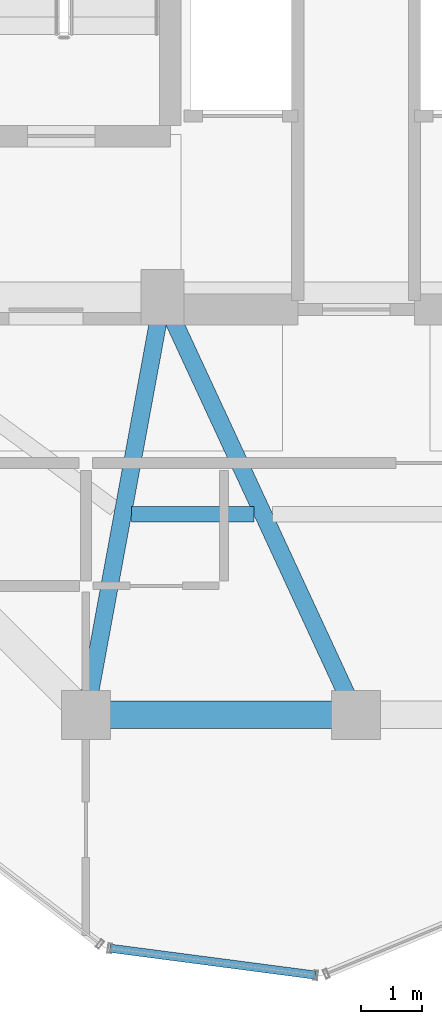
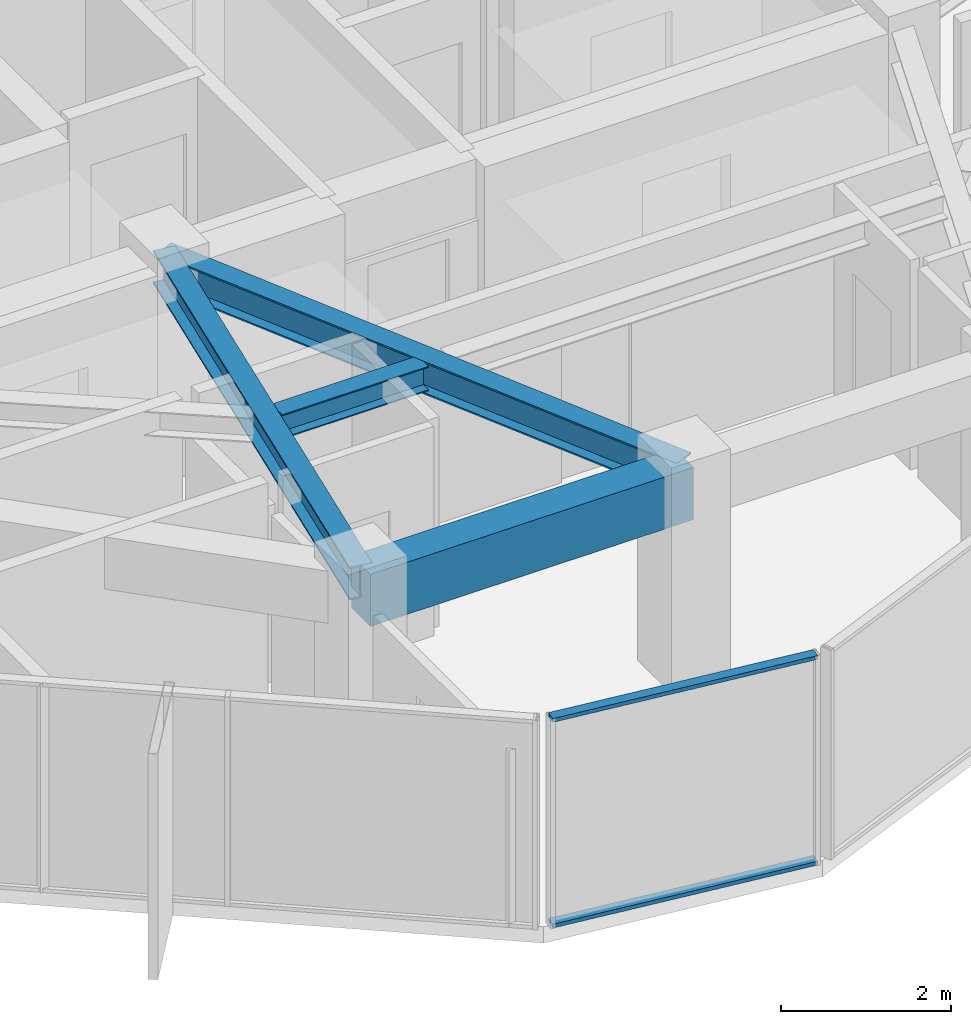
# One storey, part 5 of 31: 4 beams, 2 members, 1 element without a shape of its own.
"""IFC4 building model written with IfcOpenShell, lengths in metres."""

from ifc_helpers import new_model, si_unit, direction, frame, origin, origin_2d, place, context, subcontext, project, spatial, rectangle, hollow_rectangle, i_section, extrude, source, transform, mapped, material, layer, layer_set, material_profile, profile_set, type_object, element, aggregate, save


model = new_model("IFC4")

# Units and contexts
model_context = context("Model", 3, precision=1e-05, world=origin(), true_north=direction((0.0, 1.0)))
body_context = subcontext(model_context, "Body", "Model", "MODEL_VIEW")
ifc_project = project(units=[si_unit("LENGTHUNIT", "METRE"), si_unit("AREAUNIT", "SQUARE_METRE"), si_unit("VOLUMEUNIT", "CUBIC_METRE"), si_unit("PLANEANGLEUNIT", "RADIAN"), si_unit("MASSUNIT", "GRAM", prefix="KILO")], contexts=[model_context])

# Site, building, storey
site_placement = place(None, origin())
site = spatial("IfcSite", under=ifc_project, at=site_placement, CompositionType="ELEMENT")
building_placement = place(site_placement, origin())
building = spatial("IfcBuilding", under=site, at=building_placement, Name="Veraguas Prism Commons", CompositionType="ELEMENT")
storey_placement = place(building_placement, frame((0.0, 0.0, 233.300048828125)))
storey = spatial("IfcBuildingStorey", under=building, at=storey_placement, Name="L66", CompositionType="ELEMENT", Elevation=233.300048828125)

# Beams
ifc_material_1 = material(Name="Concrete C50/60", Category="concrete")
ifc_material_profile_1 = material_profile(ifc_material_1, rectangle(XDim=0.449951171875, YDim=0.75, at=origin_2d()), Name="RC450X750")
ifc_profile_set_1 = profile_set([ifc_material_profile_1], Name="Concrete C50/60")
beam_type_1 = type_object("IfcBeamType", Name="Perimeter Spandrel Upper RC 450x750", PredefinedType="SPANDREL", material=ifc_profile_set_1)
beam_1_placement = place(storey_placement, frame((19.60009765625, 10.199951171875, 2.639892578125), z_axis=(1.0, 0.0, 0.0), x_axis=(0.0, 1.0, 0.0)))
element("IfcBeam", 1, at=beam_1_placement, inside=storey, type_object=beam_type_1, Name="Perimeter Spandrel Beam L66-SP10", PredefinedType="SPANDREL", context=body_context, shape_type="SweptSolid", body=[
    extrude(rectangle(XDim=0.449951171875, YDim=0.75, at=origin_2d()), origin(), (0.0, 0.0, 1.0), 4.39990234375),
])
ifc_material_2 = material(Name="Steel ASTM A992 Grade 50", Category="steel")
ifc_material_profile_2 = material_profile(ifc_material_2, i_section(OverallWidth=0.25390625, OverallDepth=0.35302734375, WebThickness=0.009521484375, FlangeThickness=0.016357421875, at=origin_2d()), Name="W360X91")
ifc_profile_set_2 = profile_set([ifc_material_profile_2], Name="Steel ASTM A992 Grade 50")
beam_type_2 = type_object("IfcBeamType", Name="Upper Floor Joist W360x91", PredefinedType="JOIST", material=ifc_profile_set_2)
beam_2_placement = place(storey_placement, frame((20.341796875, 13.464111328125, 2.83837890625), z_axis=(1.0, 0.0, 0.0), x_axis=(0.0, 1.0, 0.0)))
element("IfcBeam", 2, at=beam_2_placement, inside=storey, type_object=beam_type_2, Name="Composite Floor Joist L66-JS10", PredefinedType="JOIST", context=body_context, shape_type="SweptSolid", body=[
    extrude(i_section(OverallWidth=0.25390625, OverallDepth=0.35302734375, WebThickness=0.009521484375, FlangeThickness=0.016357421875, at=origin_2d()), origin(), (0.0, 0.0, 1.0), 1.992431640625),
])
ifc_material_profile_3 = material_profile(ifc_material_2, i_section(OverallWidth=0.282958984375, OverallDepth=0.471923828125, WebThickness=0.013671875, FlangeThickness=0.022216796875, at=origin_2d()), Name="W460X144")
ifc_profile_set_3 = profile_set([ifc_material_profile_3], Name="Steel ASTM A992 Grade 50")
beam_type_3 = type_object("IfcBeamType", Name="Zone 4 Radial Girder W460x144", PredefinedType="BEAM", material=ifc_profile_set_3)
beam_3_placement = place(storey_placement, frame((19.60009765625, 10.199951171875, 2.779052734375), z_axis=(0.180793033327, 0.983521163524, 0.0), x_axis=(-0.983521163524, 0.180793033327, 0.0)))
element("IfcBeam", 3, at=beam_3_placement, inside=storey, type_object=beam_type_3, Name="Radial Floor Girder L66-RD10", PredefinedType="BEAM", context=body_context, shape_type="SweptSolid", body=[
    extrude(i_section(OverallWidth=0.282958984375, OverallDepth=0.471923828125, WebThickness=0.013671875, FlangeThickness=0.022216796875, at=origin_2d()), origin(), (0.0, 0.0, 1.0), 6.9140625),
])
beam_4_placement = place(storey_placement, frame((24.0, 10.199951171875, 2.779052734375), z_axis=(-0.420313834543, 0.907378796585, 0.0), x_axis=(-0.907378796585, -0.420313834543, 0.0)))
element("IfcBeam", 4, at=beam_4_placement, inside=storey, type_object=beam_type_3, Name="Radial Floor Girder L66-RD11", PredefinedType="BEAM", context=body_context, shape_type="SweptSolid", body=[
    extrude(i_section(OverallWidth=0.282958984375, OverallDepth=0.471923828125, WebThickness=0.013671875, FlangeThickness=0.022216796875, at=origin_2d()), origin(), (0.0, 0.0, 1.0), 7.494140625),
])

# Curtain wall, members
ifc_material_3 = material(Name="Anodised aluminium EN AW-6063 T6", Category="aluminium")
ifc_layer = layer(ifc_material_3, 0.14990234375, Name="Unitised Flush Curtain Wall Zone 4", Category="aluminium")
ifc_layer_set = layer_set([ifc_layer], Name="Anodised aluminium EN AW-6063 T6")
curtain_wall_type = type_object("IfcCurtainWallType", Name="Unitised Flush Curtain Wall Zone 4", PredefinedType="NOTDEFINED", material=ifc_layer_set)
curtain_wall_placement = place(storey_placement, origin())
curtain_wall = element("IfcCurtainWall", 5, at=curtain_wall_placement, inside=storey, type_object=curtain_wall_type, Name="Chamfer Curtain Wall L66-C5", PredefinedType="NOTDEFINED")
ifc_material_profile_4 = material_profile(ifc_material_3, hollow_rectangle(XDim=0.054931640625, YDim=0.135009765625, WallThickness=0.0029296875, at=origin_2d()), Name="AL55X135X3")
ifc_profile_set_4 = profile_set([ifc_material_profile_4], Name="Anodised aluminium EN AW-6063 T6")
member_type = type_object("IfcMemberType", Name="Curtain Wall Transom Standard AL 55x135x3", PredefinedType="USERDEFINED", material=ifc_profile_set_4)
shared_shape = source(origin(), body_context, "Body", "SweptSolid", [
    extrude(hollow_rectangle(XDim=0.054931640625, YDim=0.135009765625, WallThickness=0.0029296875, at=origin_2d()), origin(), (0.0, 0.0, 1.0), 3.38232421875),
])
member_1_placement = place(storey_placement, frame((19.98974609375, 6.400146484375, 0.02734375), z_axis=(0.991533465641, -0.129851401666, 0.0), x_axis=(0.0, 0.0, 1.0)))
member_1 = element("IfcMember", 6, at=member_1_placement, type_object=member_type, Name="CW-Z4 Transom 1", ObjectType="TRANSOM", PredefinedType="USERDEFINED", context=body_context, shape_type="MappedRepresentation", body=[
    mapped(shared_shape, transform((0.0, 0.0, 0.0), scale=1.0)),
])
member_2_placement = place(storey_placement, frame((19.98974609375, 6.400146484375, 2.987548828125), z_axis=(0.991533465641, -0.129851401666, 0.0), x_axis=(0.0, 0.0, 1.0)))
member_2 = element("IfcMember", 7, at=member_2_placement, type_object=member_type, Name="CW-Z4 Transom 2", ObjectType="TRANSOM", PredefinedType="USERDEFINED", context=body_context, shape_type="MappedRepresentation", body=[
    mapped(shared_shape, transform((0.0, 0.0, 0.0), scale=1.0)),
])
aggregate(curtain_wall, [member_1, member_2])

save(model, "model.ifc")
